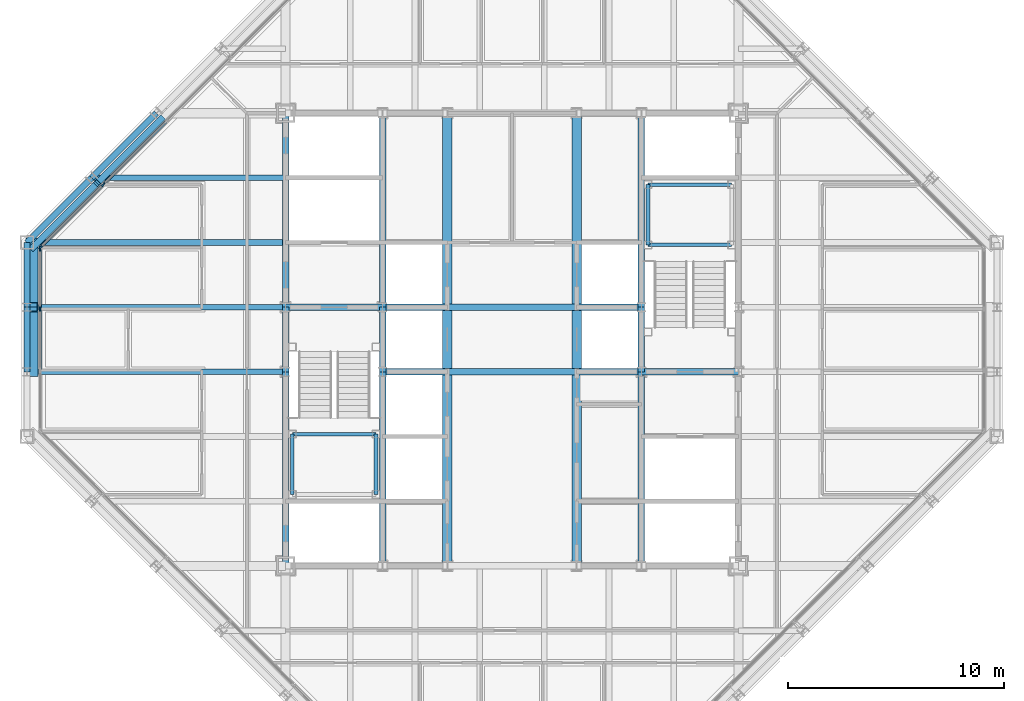
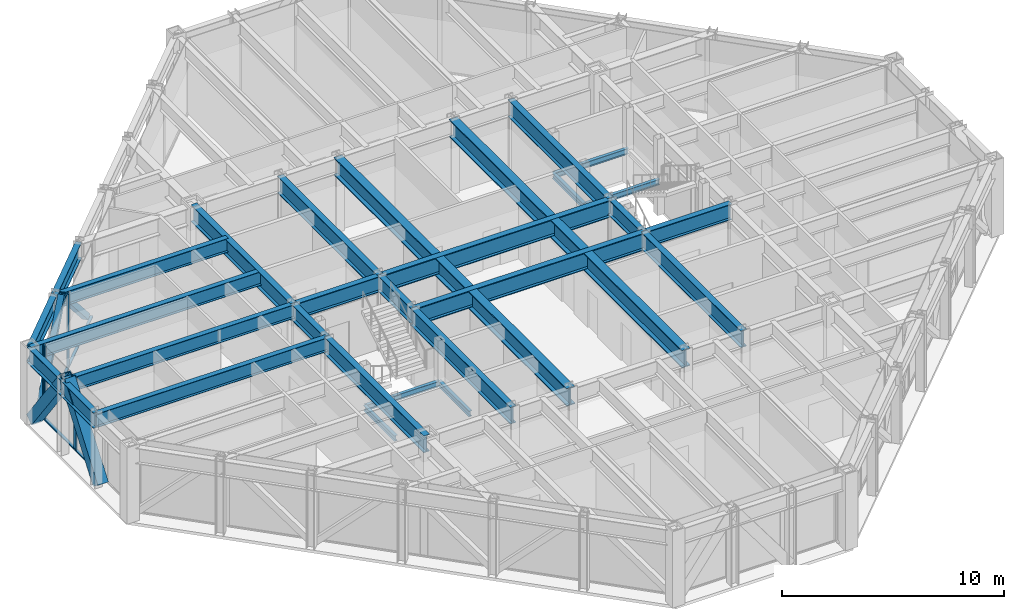
# One storey, part 6 of 15: 33 beams, 12 members, 2 elements without a shape of their own.
"""IFC4 building model written with IfcOpenShell, lengths in metres."""

from ifc_helpers import new_model, si_unit, direction, frame, origin, origin_2d, place, context, subcontext, project, spatial, rectangle, hollow_rectangle, i_section, extrude, material, layer, layer_set, material_profile, profile_set, type_object, element, aggregate, save


model = new_model("IFC4")

# Units and contexts
model_context = context("Model", 3, precision=1e-05, world=origin(), true_north=direction((0.0, 1.0)))
body_context = subcontext(model_context, "Body", "Model", "MODEL_VIEW")
ifc_project = project(units=[si_unit("LENGTHUNIT", "METRE"), si_unit("AREAUNIT", "SQUARE_METRE"), si_unit("VOLUMEUNIT", "CUBIC_METRE"), si_unit("PLANEANGLEUNIT", "RADIAN"), si_unit("MASSUNIT", "GRAM", prefix="KILO")], contexts=[model_context])

# Site, building, storey
site_placement = place(None, origin())
site = spatial("IfcSite", under=ifc_project, at=site_placement, CompositionType="ELEMENT")
building_placement = place(site_placement, origin())
building = spatial("IfcBuilding", under=site, at=building_placement, Name="Chuquiago Exchange Tower", CompositionType="ELEMENT")
storey_placement = place(building_placement, frame((0.0, 0.0, 295.800048828125)))
storey = spatial("IfcBuildingStorey", under=building, at=storey_placement, Name="L66", CompositionType="ELEMENT", Elevation=295.800048828125)

# Beams
ifc_material_1 = material(Name="Steel ASTM A992", Category="steel")
ifc_material_profile_1 = material_profile(ifc_material_1, i_section(OverallWidth=0.307373046875, OverallDepth=0.927001953125, WebThickness=0.01953125, FlangeThickness=0.031982421875, at=origin_2d()), Name="W36X194")
ifc_profile_set_1 = profile_set([ifc_material_profile_1], Name="Steel ASTM A992")
beam_type_1 = type_object("IfcBeamType", Name="B10 W36X194", PredefinedType="BEAM", material=ifc_profile_set_1)
for number, where, z_axis, x_axis, name in (
    (1, (12.0, 12.0, 3.576416015625), (0.0, 1.0, 0.0), (-1.0, 0.0, 0.0), "CB-L67-12_12-12_21"),
    (2, (12.0, 24.0, 3.576416015625), (0.0, 1.0, 0.0), (-1.0, 0.0, 0.0), "CB-L67-12_24-12_33"),
    (3, (16.5, 12.0, 3.576416015625), (0.0, 1.0, 0.0), (-1.0, 0.0, 0.0), "CB-L67-16.5_12-16.5_21"),
    (4, (16.5, 24.0, 3.576416015625), (0.0, 1.0, 0.0), (-1.0, 0.0, 0.0), "CB-L67-16.5_24-16.5_33"),
    (5, (28.5, 12.0, 3.576416015625), (0.0, 1.0, 0.0), (-1.0, 0.0, 0.0), "CB-L67-28.5_12-28.5_21"),
    (6, (28.5, 24.0, 3.576416015625), (0.0, 1.0, 0.0), (-1.0, 0.0, 0.0), "CB-L67-28.5_24-28.5_33"),
):
    element("IfcBeam", number, at=place(storey_placement, frame(where, z_axis=z_axis, x_axis=x_axis)), inside=storey, type_object=beam_type_1, Name=name, PredefinedType="BEAM", context=body_context, shape_type="SweptSolid", body=[
        extrude(i_section(OverallWidth=0.307373046875, OverallDepth=0.927001953125, WebThickness=0.01953125, FlangeThickness=0.031982421875, at=origin_2d()), origin(), (0.0, 0.0, 1.0), 9.0),
    ])
ifc_material_2 = material(Name="Steel ASTM A992", Category="steel")
ifc_material_profile_2 = material_profile(ifc_material_2, i_section(OverallWidth=0.309814453125, OverallDepth=0.949951171875, WebThickness=0.0244140625, FlangeThickness=0.0439453125, at=origin_2d()), Name="W36X256")
ifc_profile_set_2 = profile_set([ifc_material_profile_2], Name="Steel ASTM A992")
beam_type_2 = type_object("IfcBeamType", Name="B11 W36X256", PredefinedType="BEAM", material=ifc_profile_set_2)
for number, where, z_axis, x_axis, name in (
    (7, (16.5, 21.0, 3.56494140625), (1.0, 0.0, 0.0), (0.0, 1.0, 0.0), "CB-L67-16.5_21-28.5_21"),
    (8, (16.5, 24.0, 3.56494140625), (1.0, 0.0, 0.0), (0.0, 1.0, 0.0), "CB-L67-16.5_24-28.5_24"),
):
    element("IfcBeam", number, at=place(storey_placement, frame(where, z_axis=z_axis, x_axis=x_axis)), inside=storey, type_object=beam_type_2, Name=name, PredefinedType="BEAM", context=body_context, shape_type="SweptSolid", body=[
        extrude(i_section(OverallWidth=0.309814453125, OverallDepth=0.949951171875, WebThickness=0.0244140625, FlangeThickness=0.0439453125, at=origin_2d()), origin(), (0.0, 0.0, 1.0), 12.0),
    ])
ifc_material_3 = material(Name="Steel ASTM A992", Category="steel")
ifc_material_profile_3 = material_profile(ifc_material_3, i_section(OverallWidth=0.4267578125, OverallDepth=0.975341796875, WebThickness=0.031005859375, FlangeThickness=0.055908203125, at=origin_2d()), Name="W36X395")
ifc_profile_set_3 = profile_set([ifc_material_profile_3], Name="Steel ASTM A992")
beam_type_3 = type_object("IfcBeamType", Name="B12 W36X395", PredefinedType="BEAM", material=ifc_profile_set_3)
beam_1_placement = place(storey_placement, frame((19.5, 12.0, 3.55224609375), z_axis=(0.0, 1.0, 0.0), x_axis=(-1.0, 0.0, 0.0)))
element("IfcBeam", 9, at=beam_1_placement, inside=storey, type_object=beam_type_3, Name="CB-L67-19.5_12-19.5_20.8451", PredefinedType="BEAM", context=body_context, shape_type="SweptSolid", body=[
    extrude(i_section(OverallWidth=0.4267578125, OverallDepth=0.975341796875, WebThickness=0.031005859375, FlangeThickness=0.055908203125, at=origin_2d()), origin(), (0.0, 0.0, 1.0), 8.84521484375),
])
beam_2_placement = place(storey_placement, frame((19.5, 21.15478515625, 3.55224609375), z_axis=(0.0, 1.0, 0.0), x_axis=(-1.0, 0.0, 0.0)))
element("IfcBeam", 10, at=beam_2_placement, inside=storey, type_object=beam_type_3, Name="CB-L67-19.5_21.1549-19.5_23.8451", PredefinedType="BEAM", context=body_context, shape_type="SweptSolid", body=[
    extrude(i_section(OverallWidth=0.4267578125, OverallDepth=0.975341796875, WebThickness=0.031005859375, FlangeThickness=0.055908203125, at=origin_2d()), origin(), (0.0, 0.0, 1.0), 2.6904296875),
])
for number, where, z_axis, x_axis, name in (
    (11, (19.5, 24.15478515625, 3.55224609375), (0.0, 1.0, 0.0), (-1.0, 0.0, 0.0), "CB-L67-19.5_24.1549-19.5_33"),
    (12, (25.5, 12.0, 3.55224609375), (0.0, 1.0, 0.0), (-1.0, 0.0, 0.0), "CB-L67-25.5_12-25.5_20.8451"),
):
    element("IfcBeam", number, at=place(storey_placement, frame(where, z_axis=z_axis, x_axis=x_axis)), inside=storey, type_object=beam_type_3, Name=name, PredefinedType="BEAM", context=body_context, shape_type="SweptSolid", body=[
        extrude(i_section(OverallWidth=0.4267578125, OverallDepth=0.975341796875, WebThickness=0.031005859375, FlangeThickness=0.055908203125, at=origin_2d()), origin(), (0.0, 0.0, 1.0), 8.84521484375),
    ])
beam_3_placement = place(storey_placement, frame((25.5, 21.15478515625, 3.55224609375), z_axis=(0.0, 1.0, 0.0), x_axis=(-1.0, 0.0, 0.0)))
element("IfcBeam", 13, at=beam_3_placement, inside=storey, type_object=beam_type_3, Name="CB-L67-25.5_21.1549-25.5_23.8451", PredefinedType="BEAM", context=body_context, shape_type="SweptSolid", body=[
    extrude(i_section(OverallWidth=0.4267578125, OverallDepth=0.975341796875, WebThickness=0.031005859375, FlangeThickness=0.055908203125, at=origin_2d()), origin(), (0.0, 0.0, 1.0), 2.6904296875),
])
beam_4_placement = place(storey_placement, frame((25.5, 24.15478515625, 3.55224609375), z_axis=(0.0, 1.0, 0.0), x_axis=(-1.0, 0.0, 0.0)))
element("IfcBeam", 14, at=beam_4_placement, inside=storey, type_object=beam_type_3, Name="CB-L67-25.5_24.1549-25.5_33", PredefinedType="BEAM", context=body_context, shape_type="SweptSolid", body=[
    extrude(i_section(OverallWidth=0.4267578125, OverallDepth=0.975341796875, WebThickness=0.031005859375, FlangeThickness=0.055908203125, at=origin_2d()), origin(), (0.0, 0.0, 1.0), 8.84521484375),
])
ifc_material_4 = material(Name="Steel ASTM A992", Category="steel")
ifc_material_profile_4 = material_profile(ifc_material_4, i_section(OverallWidth=0.2919921875, OverallDepth=0.8583984375, WebThickness=0.01708984375, FlangeThickness=0.031005859375, at=origin_2d()), Name="W33X169")
ifc_profile_set_4 = profile_set([ifc_material_profile_4], Name="Steel ASTM A992")
beam_type_4 = type_object("IfcBeamType", Name="B3 W33X169", PredefinedType="BEAM", material=ifc_profile_set_4)
for number, where, z_axis, x_axis, name in (
    (15, (12.0, 21.0, 3.610595703125), (0.0, 1.0, 0.0), (-1.0, 0.0, 0.0), "CB-L67-12_21-12_24"),
    (16, (16.5, 21.0, 3.610595703125), (0.0, 1.0, 0.0), (-1.0, 0.0, 0.0), "CB-L67-16.5_21-16.5_24"),
    (17, (28.5, 21.0, 3.610595703125), (0.0, 1.0, 0.0), (-1.0, 0.0, 0.0), "CB-L67-28.5_21-28.5_24"),
):
    element("IfcBeam", number, at=place(storey_placement, frame(where, z_axis=z_axis, x_axis=x_axis)), inside=storey, type_object=beam_type_4, Name=name, PredefinedType="BEAM", context=body_context, shape_type="SweptSolid", body=[
        extrude(i_section(OverallWidth=0.2919921875, OverallDepth=0.8583984375, WebThickness=0.01708984375, FlangeThickness=0.031005859375, at=origin_2d()), origin(), (0.0, 0.0, 1.0), 3.0),
    ])
for number, where, z_axis, x_axis, name in (
    (18, (28.5, 21.0, 3.610595703125), (1.0, 0.0, 0.0), (0.0, 1.0, 0.0), "CB-L67-28.5_21-33_21"),
    (19, (12.0, 24.0, 3.610595703125), (1.0, 0.0, 0.0), (0.0, 1.0, 0.0), "CB-L67-12_24-16.5_24"),
):
    element("IfcBeam", number, at=place(storey_placement, frame(where, z_axis=z_axis, x_axis=x_axis)), inside=storey, type_object=beam_type_4, Name=name, PredefinedType="BEAM", context=body_context, shape_type="SweptSolid", body=[
        extrude(i_section(OverallWidth=0.2919921875, OverallDepth=0.8583984375, WebThickness=0.01708984375, FlangeThickness=0.031005859375, at=origin_2d()), origin(), (0.0, 0.0, 1.0), 4.5),
    ])
ifc_material_5 = material(Name="Steel ASTM A992", Category="steel")
ifc_material_profile_5 = material_profile(ifc_material_5, i_section(OverallWidth=0.2666015625, OverallDepth=0.761962890625, WebThickness=0.014404296875, FlangeThickness=0.021484375, at=origin_2d()), Name="W30X116")
ifc_profile_set_5 = profile_set([ifc_material_profile_5], Name="Steel ASTM A992")
beam_type_5 = type_object("IfcBeamType", Name="B8 W30X116", PredefinedType="BEAM", material=ifc_profile_set_5)
for number, where, z_axis, x_axis, name in (
    (20, (12.0, 21.0, 3.658935546875), (-1.0, 0.0, 0.0), (0.0, -1.0, 0.0), "FB-L67-infill-12_21--0_21-0"),
    (21, (12.0, 24.0, 3.658935546875), (-1.0, 0.0, 0.0), (0.0, -1.0, 0.0), "FB-L67-infill-12_24--0_24-0"),
    (22, (12.0, 27.0, 3.658935546875), (-1.0, 0.0, 0.0), (0.0, -1.0, 0.0), "FB-L67-infill-12_27--0_27-0"),
):
    element("IfcBeam", number, at=place(storey_placement, frame(where, z_axis=z_axis, x_axis=x_axis)), inside=storey, type_object=beam_type_5, Name=name, PredefinedType="BEAM", context=body_context, shape_type="SweptSolid", body=[
        extrude(i_section(OverallWidth=0.2666015625, OverallDepth=0.761962890625, WebThickness=0.014404296875, FlangeThickness=0.021484375, at=origin_2d()), origin(), (0.0, 0.0, 1.0), 12.0),
    ])
beam_5_placement = place(storey_placement, frame((12.0, 30.0, 3.658935546875), z_axis=(-1.0, 0.0, 0.0), x_axis=(0.0, -1.0, 0.0)))
element("IfcBeam", 23, at=beam_5_placement, inside=storey, type_object=beam_type_5, Name="FB-L67-infill-12_30-3_30-0", PredefinedType="BEAM", context=body_context, shape_type="SweptSolid", body=[
    extrude(i_section(OverallWidth=0.2666015625, OverallDepth=0.761962890625, WebThickness=0.014404296875, FlangeThickness=0.021484375, at=origin_2d()), origin(), (0.0, 0.0, 1.0), 9.0),
])

# Curtain wall, members
ifc_material_6 = material(Name="Aluminium curtain wall system", Category="aluminium")
ifc_layer_1 = layer(ifc_material_6, 0.22509765625)
ifc_layer_set_1 = layer_set([ifc_layer_1], Name="CW2 office curtain wall")
curtain_wall_type_1 = type_object("IfcCurtainWallType", Name="CW2 office curtain wall", PredefinedType="NOTDEFINED", material=ifc_layer_set_1)
curtain_wall_1_placement = place(storey_placement, origin())
curtain_wall_1 = element("IfcCurtainWall", 24, at=curtain_wall_1_placement, inside=storey, type_object=curtain_wall_type_1, Name="CW2 curtain wall L66", PredefinedType="NOTDEFINED")
ifc_material_7 = material(Name="Aluminium mullion, pale anodised", Category="aluminium")
ifc_material_profile_6 = material_profile(ifc_material_7, rectangle(XDim=0.06494140625, YDim=0.22509765625, at=origin_2d()), Name="AL 65x225")
ifc_profile_set_6 = profile_set([ifc_material_profile_6], Name="Aluminium mullion, pale anodised")
member_type_1 = type_object("IfcMemberType", Name="CW2-M mullion 65x225", PredefinedType="MULLION", material=ifc_profile_set_6)
member_1_placement = place(storey_placement, frame((0.60009765625, 26.718994140625, 0.0), z_axis=(0.0, 0.0, 1.0), x_axis=(1.0, 0.0, 0.0)))
member_1 = element("IfcMember", 25, at=member_1_placement, type_object=member_type_1, Name="CW2 mullion 1", PredefinedType="MULLION", context=body_context, shape_type="SweptSolid", body=[
    extrude(rectangle(XDim=0.06494140625, YDim=0.22509765625, at=origin_2d()), origin(), (0.0, 0.0, 1.0), 4.0400390625),
])
member_2_placement = place(storey_placement, frame((0.60009765625, 23.917236328125, 0.0), z_axis=(0.0, 0.0, 1.0), x_axis=(1.0, 0.0, 0.0)))
member_2 = element("IfcMember", 26, at=member_2_placement, type_object=member_type_1, Name="CW2 mullion 2", PredefinedType="MULLION", context=body_context, shape_type="SweptSolid", body=[
    extrude(rectangle(XDim=0.06494140625, YDim=0.22509765625, at=origin_2d()), origin(), (0.0, 0.0, 1.0), 4.0400390625),
])
ifc_material_8 = material(Name="Aluminium transom, pale anodised", Category="aluminium")
ifc_material_profile_7 = material_profile(ifc_material_8, rectangle(XDim=0.139892578125, YDim=0.06494140625, at=origin_2d()), Name="AL 140x65")
ifc_profile_set_7 = profile_set([ifc_material_profile_7], Name="Aluminium transom, pale anodised")
member_type_2 = type_object("IfcMemberType", Name="CW2-T transom 65x140", PredefinedType="MULLION", material=ifc_profile_set_7)
member_3_placement = place(storey_placement, frame((0.60009765625, 26.6865234375, 0.032470703125), z_axis=(0.0, -1.0, 0.0), x_axis=(1.0, 0.0, 0.0)))
member_3 = element("IfcMember", 27, at=member_3_placement, type_object=member_type_2, Name="CW2 transom 1.1", PredefinedType="MULLION", context=body_context, shape_type="SweptSolid", body=[
    extrude(rectangle(XDim=0.139892578125, YDim=0.06494140625, at=origin_2d()), origin(), (0.0, 0.0, 1.0), 2.73681640625),
])
member_4_placement = place(storey_placement, frame((0.60009765625, 23.884765625, 0.032470703125), z_axis=(0.0, -1.0, 0.0), x_axis=(1.0, 0.0, 0.0)))
member_4 = element("IfcMember", 28, at=member_4_placement, type_object=member_type_2, Name="CW2 transom 2.1", PredefinedType="MULLION", context=body_context, shape_type="SweptSolid", body=[
    extrude(rectangle(XDim=0.139892578125, YDim=0.06494140625, at=origin_2d()), origin(), (0.0, 0.0, 1.0), 2.76953125),
])
aggregate(curtain_wall_1, [member_1, member_2, member_3, member_4])

ifc_material_9 = material(Name="Aluminium curtain wall system", Category="aluminium")
ifc_layer_2 = layer(ifc_material_9, 0.199951171875)
ifc_layer_set_2 = layer_set([ifc_layer_2], Name="CW3 facet curtain wall")
curtain_wall_type_2 = type_object("IfcCurtainWallType", Name="CW3 facet curtain wall", PredefinedType="NOTDEFINED", material=ifc_layer_set_2)
curtain_wall_2_placement = place(storey_placement, origin())
curtain_wall_2 = element("IfcCurtainWall", 29, at=curtain_wall_2_placement, inside=storey, type_object=curtain_wall_type_2, Name="CW3 curtain wall L66", PredefinedType="NOTDEFINED")
ifc_material_10 = material(Name="Aluminium mullion, pale anodised", Category="aluminium")
ifc_material_profile_8 = material_profile(ifc_material_10, rectangle(XDim=0.06494140625, YDim=0.199951171875, at=origin_2d()), Name="AL 65x200")
ifc_profile_set_8 = profile_set([ifc_material_profile_8], Name="Aluminium mullion, pale anodised")
member_type_3 = type_object("IfcMemberType", Name="CW3-M mullion 65x200", PredefinedType="MULLION", material=ifc_profile_set_8)
member_5_placement = place(storey_placement, frame((3.54150390625, 29.69287109375, 0.0), z_axis=(0.0, 0.0, 1.0), x_axis=(0.707106781187, -0.707106781187, 0.0)))
member_5 = element("IfcMember", 30, at=member_5_placement, type_object=member_type_3, Name="CW3 mullion 6", PredefinedType="MULLION", context=body_context, shape_type="SweptSolid", body=[
    extrude(rectangle(XDim=0.06494140625, YDim=0.199951171875, at=origin_2d()), origin(), (0.0, 0.0, 1.0), 4.0400390625),
])
member_6_placement = place(storey_placement, frame((0.623046875, 26.7744140625, 0.0), z_axis=(0.0, 0.0, 1.0), x_axis=(0.707106781187, -0.707106781187, 0.0)))
member_6 = element("IfcMember", 31, at=member_6_placement, type_object=member_type_3, Name="CW3 mullion 7", PredefinedType="MULLION", context=body_context, shape_type="SweptSolid", body=[
    extrude(rectangle(XDim=0.06494140625, YDim=0.199951171875, at=origin_2d()), origin(), (0.0, 0.0, 1.0), 4.0400390625),
])
ifc_material_11 = material(Name="Aluminium transom, pale anodised", Category="aluminium")
ifc_material_profile_9 = material_profile(ifc_material_11, rectangle(XDim=0.139892578125, YDim=0.06494140625, at=origin_2d()), Name="AL 140x65")
ifc_profile_set_9 = profile_set([ifc_material_profile_9], Name="Aluminium transom, pale anodised")
member_type_4 = type_object("IfcMemberType", Name="CW3-T transom 65x140", PredefinedType="MULLION", material=ifc_profile_set_9)
member_7_placement = place(storey_placement, frame((6.4599609375, 32.611328125, 0.032470703125), z_axis=(-0.707106781187, -0.707106781187, 0.0), x_axis=(0.707106781187, -0.707106781187, 0.0)))
member_7 = element("IfcMember", 32, at=member_7_placement, type_object=member_type_4, Name="CW3 transom 5.1", PredefinedType="MULLION", context=body_context, shape_type="SweptSolid", body=[
    extrude(rectangle(XDim=0.139892578125, YDim=0.06494140625, at=origin_2d()), origin(), (0.0, 0.0, 1.0), 4.094970703125),
])
member_8_placement = place(storey_placement, frame((3.5185546875, 29.669921875, 0.032470703125), z_axis=(-0.707106781187, -0.707106781187, 0.0), x_axis=(0.707106781187, -0.707106781187, 0.0)))
member_8 = element("IfcMember", 33, at=member_8_placement, type_object=member_type_4, Name="CW3 transom 6.1", PredefinedType="MULLION", context=body_context, shape_type="SweptSolid", body=[
    extrude(rectangle(XDim=0.139892578125, YDim=0.06494140625, at=origin_2d()), origin(), (0.0, 0.0, 1.0), 4.0625),
])
aggregate(curtain_wall_2, [member_5, member_6, member_7, member_8])

# Members
ifc_material_12 = material(Name="Steel ASTM A500 Grade C", Category="steel")
ifc_material_profile_10 = material_profile(ifc_material_12, hollow_rectangle(XDim=0.3046875, YDim=0.3046875, WallThickness=0.0146484375, at=origin_2d()), Name="HSS12X12X5/8")
ifc_profile_set_10 = profile_set([ifc_material_profile_10], Name="Steel ASTM A500 Grade C")
member_type_5 = type_object("IfcMemberType", Name="LB3 HSS12X12X5/8", PredefinedType="BRACE", material=ifc_profile_set_10)
for number, where, z_axis, x_axis, name in (
    (34, (6.249267578125, 32.750732421875, 0.0), (-0.512077265487, -0.512077265487, 0.689604051861), (0.707106781187, -0.707106781187, 0.0), "LB-L66-6_33-3_30"),
    (35, (0.249267578125, 26.750732421875, 0.0), (0.512077265487, 0.512077265487, 0.689604051861), (-0.707106781187, 0.707106781187, 0.0), "LB-L66-3_30-0_27"),
):
    element("IfcMember", number, at=place(storey_placement, frame(where, z_axis=z_axis, x_axis=x_axis)), inside=storey, type_object=member_type_5, Name=name, PredefinedType="BRACE", context=body_context, shape_type="SweptSolid", body=[
        extrude(hollow_rectangle(XDim=0.3046875, YDim=0.3046875, WallThickness=0.0146484375, at=origin_2d()), origin(), (0.0, 0.0, 1.0), 5.8583984375),
    ])

# Beams
ifc_material_13 = material(Name="Steel ASTM A992", Category="steel")
ifc_material_profile_11 = material_profile(ifc_material_13, i_section(OverallWidth=0.164794921875, OverallDepth=0.309814453125, WebThickness=0.005859375, FlangeThickness=0.009765625, at=origin_2d()), Name="W12X26")
ifc_profile_set_11 = profile_set([ifc_material_profile_11], Name="Steel ASTM A992")
beam_type_6 = type_object("IfcBeamType", Name="LS1 W12X26", PredefinedType="BEAM", material=ifc_profile_set_11)
for number, where, z_axis, x_axis, name in (
    (36, (12.31005859375, 15.31005859375, 1.7451171875), (0.0, 1.0, 0.0), (-1.0, 0.0, 0.0), "Stair ST1 L66 landing 1 stringer"),
    (37, (16.18994140625, 15.31005859375, 1.7451171875), (0.0, 1.0, 0.0), (-1.0, 0.0, 0.0), "Stair ST1 L66 landing 1 stringer"),
    (38, (28.81005859375, 26.889892578125, 1.7451171875), (0.0, 1.0, 0.0), (-1.0, 0.0, 0.0), "Stair ST2 L66 landing 1 stringer"),
):
    element("IfcBeam", number, at=place(storey_placement, frame(where, z_axis=z_axis, x_axis=x_axis)), inside=storey, type_object=beam_type_6, Name=name, PredefinedType="BEAM", context=body_context, shape_type="SweptSolid", body=[
        extrude(i_section(OverallWidth=0.164794921875, OverallDepth=0.309814453125, WebThickness=0.005859375, FlangeThickness=0.009765625, at=origin_2d()), origin(), (0.0, 0.0, 1.0), 2.800048828125),
    ])
ifc_material_14 = material(Name="Steel ASTM A992", Category="steel")
ifc_material_profile_12 = material_profile(ifc_material_14, i_section(OverallWidth=0.164794921875, OverallDepth=0.309814453125, WebThickness=0.005859375, FlangeThickness=0.009765625, at=origin_2d()), Name="W12X26")
ifc_profile_set_12 = profile_set([ifc_material_profile_12], Name="Steel ASTM A992")
beam_type_7 = type_object("IfcBeamType", Name="LT1 W12X26", PredefinedType="BEAM", material=ifc_profile_set_12)
for number, where, z_axis, x_axis, name in (
    (39, (12.31005859375, 18.110107421875, 1.7451171875), (1.0, 0.0, 0.0), (0.0, 1.0, 0.0), "Stair ST1 L66 landing 1 trimmer"),
    (40, (28.81005859375, 29.68994140625, 1.7451171875), (1.0, 0.0, 0.0), (0.0, 1.0, 0.0), "Stair ST2 L66 landing 1 trimmer"),
    (41, (28.81005859375, 26.889892578125, 1.7451171875), (1.0, 0.0, 0.0), (0.0, 1.0, 0.0), "Stair ST2 L66 landing 1 trimmer"),
):
    element("IfcBeam", number, at=place(storey_placement, frame(where, z_axis=z_axis, x_axis=x_axis)), inside=storey, type_object=beam_type_7, Name=name, PredefinedType="BEAM", context=body_context, shape_type="SweptSolid", body=[
        extrude(i_section(OverallWidth=0.164794921875, OverallDepth=0.309814453125, WebThickness=0.005859375, FlangeThickness=0.009765625, at=origin_2d()), origin(), (0.0, 0.0, 1.0), 3.8798828125),
    ])

# Members
ifc_material_15 = material(Name="Steel ASTM A572 Grade 50", Category="steel")
ifc_material_profile_13 = material_profile(ifc_material_15, hollow_rectangle(XDim=0.550048828125, YDim=0.550048828125, WallThickness=0.044921875, at=origin_2d()), Name="BOX550X550X45")
ifc_profile_set_13 = profile_set([ifc_material_profile_13], Name="Steel ASTM A572 Grade 50")
member_type_6 = type_object("IfcMemberType", Name="MB4 BOX550X550X45", PredefinedType="BRACE", material=ifc_profile_set_13)
for number, where, z_axis, x_axis, name in (
    (42, (0.22998046875, 27.0, 0.0), (0.0, -0.596173923302, 0.802855312728), (1.0, 0.0, 0.0), "Mega diagonal L66 W face"),
    (43, (0.22998046875, 21.0, 0.0), (0.0, 0.596173923302, 0.802855312728), (-1.0, 0.0, 0.0), "Mega diagonal L66 W face"),
):
    element("IfcMember", number, at=place(storey_placement, frame(where, z_axis=z_axis, x_axis=x_axis)), inside=storey, type_object=member_type_6, Name=name, PredefinedType="BRACE", context=body_context, shape_type="SweptSolid", body=[
        extrude(hollow_rectangle(XDim=0.550048828125, YDim=0.550048828125, WallThickness=0.044921875, at=origin_2d()), origin(), (0.0, 0.0, 1.0), 5.031982421875),
    ])

# Beams
ifc_material_16 = material(Name="Steel ASTM A992", Category="steel")
ifc_material_profile_14 = material_profile(ifc_material_16, i_section(OverallWidth=0.2919921875, OverallDepth=0.8583984375, WebThickness=0.01708984375, FlangeThickness=0.031005859375, at=origin_2d()), Name="W33X169")
ifc_profile_set_14 = profile_set([ifc_material_profile_14], Name="Steel ASTM A992")
beam_type_8 = type_object("IfcBeamType", Name="SP4 W33X169", PredefinedType="SPANDREL", material=ifc_profile_set_14)
for number, where, z_axis, x_axis, name in (
    (44, (6.0, 33.0, 3.610595703125), (-0.707106781187, -0.707106781187, 0.0), (0.707106781187, -0.707106781187, 0.0), "SPB-L67-6_33-3_30"),
    (45, (3.0, 30.0, 3.610595703125), (-0.707106781187, -0.707106781187, 0.0), (0.707106781187, -0.707106781187, 0.0), "SPB-L67-3_30-0_27"),
):
    element("IfcBeam", number, at=place(storey_placement, frame(where, z_axis=z_axis, x_axis=x_axis)), inside=storey, type_object=beam_type_8, Name=name, PredefinedType="SPANDREL", context=body_context, shape_type="SweptSolid", body=[
        extrude(i_section(OverallWidth=0.2919921875, OverallDepth=0.8583984375, WebThickness=0.01708984375, FlangeThickness=0.031005859375, at=origin_2d()), origin(), (0.0, 0.0, 1.0), 4.24267578125),
    ])
for number, where, z_axis, x_axis, name in (
    (46, (0.0, 27.0, 3.610595703125), (0.0, -1.0, 0.0), (1.0, 0.0, 0.0), "SPB-L67-0_27-0_24"),
    (47, (0.0, 24.0, 3.610595703125), (0.0, -1.0, 0.0), (1.0, 0.0, 0.0), "SPB-L67-0_24-0_21"),
):
    element("IfcBeam", number, at=place(storey_placement, frame(where, z_axis=z_axis, x_axis=x_axis)), inside=storey, type_object=beam_type_8, Name=name, PredefinedType="SPANDREL", context=body_context, shape_type="SweptSolid", body=[
        extrude(i_section(OverallWidth=0.2919921875, OverallDepth=0.8583984375, WebThickness=0.01708984375, FlangeThickness=0.031005859375, at=origin_2d()), origin(), (0.0, 0.0, 1.0), 3.0),
    ])

save(model, "model.ifc")
